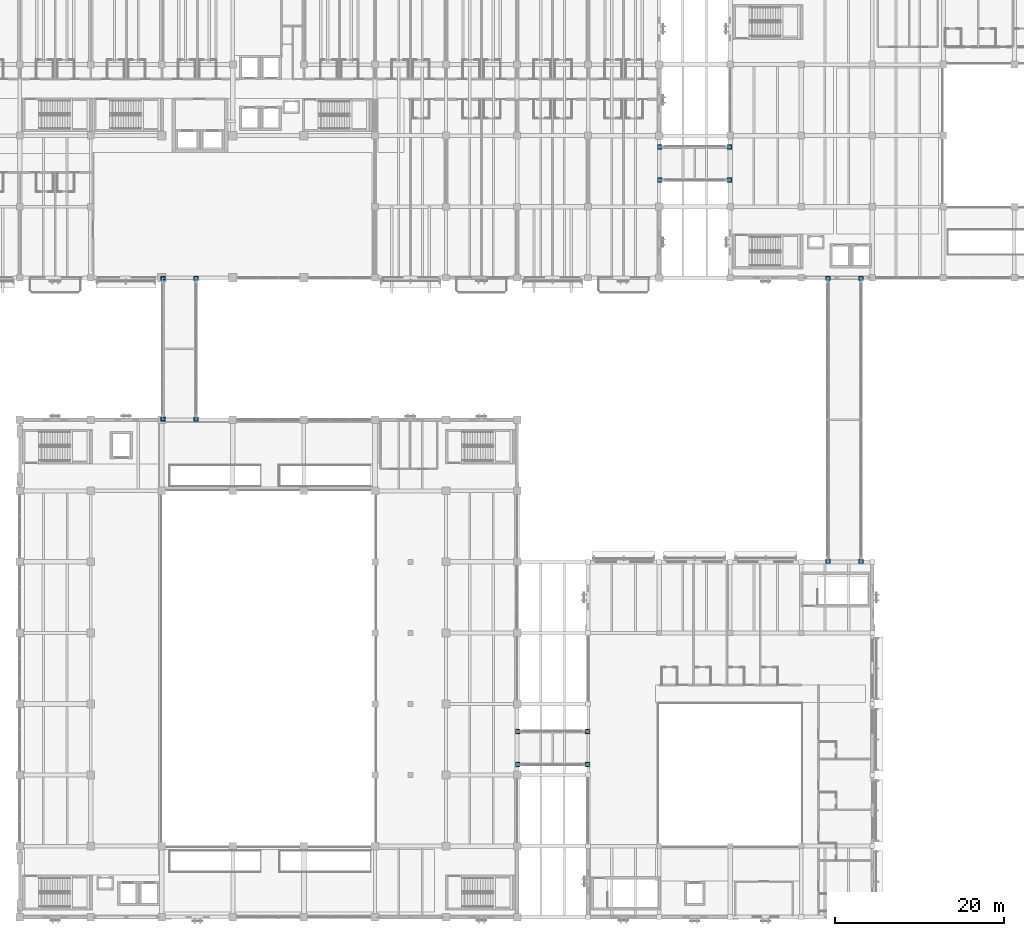
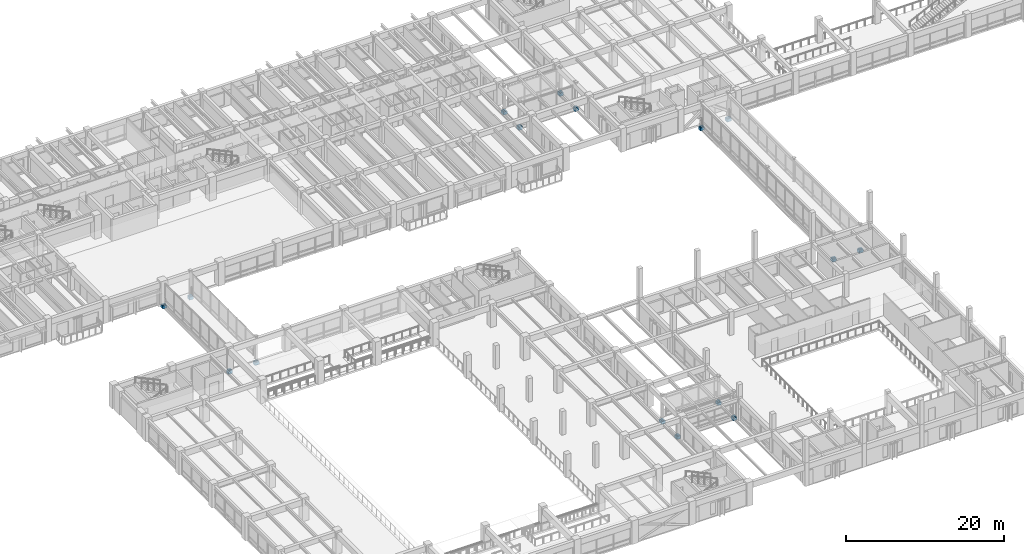
# One storey, part 86 of 118: 32 discrete accessories.
"""IFC4 building model written with IfcOpenShell, lengths in metres."""

from ifc_helpers import new_model, si_unit, direction, frame, origin, origin_2d, place, context, subcontext, project, spatial, rectangle, extrude, material, type_object, element, save


model = new_model("IFC4")

# Units and contexts
model_context = context("Model", 3, precision=1e-05, world=origin(), true_north=direction((0.0, 1.0)))
body_context = subcontext(model_context, "Body", "Model", "MODEL_VIEW")
ifc_project = project(units=[si_unit("LENGTHUNIT", "METRE"), si_unit("AREAUNIT", "SQUARE_METRE"), si_unit("VOLUMEUNIT", "CUBIC_METRE"), si_unit("PLANEANGLEUNIT", "RADIAN"), si_unit("MASSUNIT", "GRAM", prefix="KILO")], contexts=[model_context])

# Site, building, storey
site_placement = place(None, origin())
site = spatial("IfcSite", under=ifc_project, at=site_placement, CompositionType="ELEMENT")
building_placement = place(site_placement, origin())
building = spatial("IfcBuilding", under=site, at=building_placement, Name="Cumbredor Promenade Congress Hotel", CompositionType="ELEMENT")
storey_placement = place(building_placement, frame((0.0, 0.0, 3.919921875)))
storey = spatial("IfcBuildingStorey", under=building, at=storey_placement, Name="L01", CompositionType="ELEMENT", Elevation=3.919921875)

# Discrete accessories
ifc_material_1 = material(Name="Concrete C50/60", Category="concrete")
discrete_accessory_type_1 = type_object("IfcDiscreteAccessoryType", Name="Bridge Seat Corbel RC 600x550", PredefinedType="BRACKET", material=ifc_material_1)
for number, where, z_axis, x_axis, name in (
    (1, (25.35009765625, 67.280029296875, -0.7900390625), (0.0, 0.0, 1.0), (0.0, 1.0, 0.0), "L01 West Congress-to-Hotel Glazed Bridge 550mm RC Bridge Seat Corbel 1"),
    (2, (29.25, 67.280029296875, -0.7900390625), (0.0, 0.0, 1.0), (0.0, 1.0, 0.0), "L01 West Congress-to-Hotel Glazed Bridge 550mm RC Bridge Seat Corbel 2"),
    (3, (25.35009765625, 83.919921875, -0.7900390625), (0.0, 0.0, 1.0), (0.0, 1.0, 0.0), "L01 West Congress-to-Hotel Glazed Bridge 550mm RC Bridge Seat Corbel 3"),
    (4, (29.25, 83.919921875, -0.7900390625), (0.0, 0.0, 1.0), (0.0, 1.0, 0.0), "L01 West Congress-to-Hotel Glazed Bridge 550mm RC Bridge Seat Corbel 4"),
    (5, (67.280029296875, 26.449951171875, -0.7900390625), (0.0, 0.0, 1.0), (1.0, 0.0, 0.0), "L01 Central Plenary-to-Spa Pool Bridge 550mm RC Bridge Seat Corbel 1"),
    (6, (67.280029296875, 30.35009765625, -0.7900390625), (0.0, 0.0, 1.0), (1.0, 0.0, 0.0), "L01 Central Plenary-to-Spa Pool Bridge 550mm RC Bridge Seat Corbel 2"),
    (7, (75.52001953125, 26.449951171875, -0.7900390625), (0.0, 0.0, 1.0), (1.0, 0.0, 0.0), "L01 Central Plenary-to-Spa Pool Bridge 550mm RC Bridge Seat Corbel 3"),
    (8, (75.52001953125, 30.35009765625, -0.7900390625), (0.0, 0.0, 1.0), (1.0, 0.0, 0.0), "L01 Central Plenary-to-Spa Pool Bridge 550mm RC Bridge Seat Corbel 4"),
    (9, (103.949951171875, 50.47998046875, -0.7900390625), (0.0, 0.0, 1.0), (0.0, 1.0, 0.0), "L01 Central Reflecting-Pool Promenade Bridge 550mm RC Bridge Seat Corbel 1"),
    (10, (107.85009765625, 50.47998046875, -0.7900390625), (0.0, 0.0, 1.0), (0.0, 1.0, 0.0), "L01 Central Reflecting-Pool Promenade Bridge 550mm RC Bridge Seat Corbel 2"),
    (11, (103.949951171875, 83.919921875, -0.7900390625), (0.0, 0.0, 1.0), (0.0, 1.0, 0.0), "L01 Central Reflecting-Pool Promenade Bridge 550mm RC Bridge Seat Corbel 3"),
    (12, (107.85009765625, 83.919921875, -0.7900390625), (0.0, 0.0, 1.0), (0.0, 1.0, 0.0), "L01 Central Reflecting-Pool Promenade Bridge 550mm RC Bridge Seat Corbel 4"),
    (13, (84.080078125, 95.550048828125, -0.7900390625), (0.0, 0.0, 1.0), (1.0, 0.0, 0.0), "L01 North Hotel-to-Forum Glazed Bridge 550mm RC Bridge Seat Corbel 1"),
    (14, (84.080078125, 99.449951171875, -0.7900390625), (0.0, 0.0, 1.0), (1.0, 0.0, 0.0), "L01 North Hotel-to-Forum Glazed Bridge 550mm RC Bridge Seat Corbel 2"),
    (15, (92.320068359375, 95.550048828125, -0.7900390625), (0.0, 0.0, 1.0), (1.0, 0.0, 0.0), "L01 North Hotel-to-Forum Glazed Bridge 550mm RC Bridge Seat Corbel 3"),
    (16, (92.320068359375, 99.449951171875, -0.7900390625), (0.0, 0.0, 1.0), (1.0, 0.0, 0.0), "L01 North Hotel-to-Forum Glazed Bridge 550mm RC Bridge Seat Corbel 4"),
):
    element("IfcDiscreteAccessory", number, at=place(storey_placement, frame(where, z_axis=z_axis, x_axis=x_axis)), inside=storey, type_object=discrete_accessory_type_1, Name=name, PredefinedType="BRACKET", context=body_context, shape_type="SweptSolid", body=[
        extrude(rectangle(XDim=0.550048828125, YDim=0.60009765625, at=origin_2d()), origin(), (0.0, 0.0, 1.0), 0.449951171875),
    ])
ifc_material_2 = material(Name="Steel ASTM A572 Grade 50", Category="steel")
discrete_accessory_type_2 = type_object("IfcDiscreteAccessoryType", Name="Bridge Unguided PTFE Sliding Bearing BRG-01", PredefinedType="SHOE", material=ifc_material_2)
for number, where, z_axis, x_axis, name in (
    (17, (25.35009765625, 67.280029296875, -0.340087890625), (0.0, 0.0, 1.0), (0.0, 1.0, 0.0), "L01 West Congress-to-Hotel Glazed Bridge Unguided PTFE Sliding Bearing BRG-01"),
    (18, (29.25, 67.280029296875, -0.340087890625), (0.0, 0.0, 1.0), (0.0, 1.0, 0.0), "L01 West Congress-to-Hotel Glazed Bridge Unguided PTFE Sliding Bearing BRG-01"),
    (19, (25.35009765625, 83.919921875, -0.340087890625), (0.0, 0.0, 1.0), (0.0, 1.0, 0.0), "L01 West Congress-to-Hotel Glazed Bridge Unguided PTFE Sliding Bearing BRG-01"),
    (20, (29.25, 83.919921875, -0.340087890625), (0.0, 0.0, 1.0), (0.0, 1.0, 0.0), "L01 West Congress-to-Hotel Glazed Bridge Unguided PTFE Sliding Bearing BRG-01"),
    (21, (67.280029296875, 26.449951171875, -0.340087890625), (0.0, 0.0, 1.0), (1.0, 0.0, 0.0), "L01 Central Plenary-to-Spa Pool Bridge Unguided PTFE Sliding Bearing BRG-01"),
    (22, (67.280029296875, 30.35009765625, -0.340087890625), (0.0, 0.0, 1.0), (1.0, 0.0, 0.0), "L01 Central Plenary-to-Spa Pool Bridge Unguided PTFE Sliding Bearing BRG-01"),
    (23, (75.52001953125, 26.449951171875, -0.340087890625), (0.0, 0.0, 1.0), (1.0, 0.0, 0.0), "L01 Central Plenary-to-Spa Pool Bridge Unguided PTFE Sliding Bearing BRG-01"),
    (24, (75.52001953125, 30.35009765625, -0.340087890625), (0.0, 0.0, 1.0), (1.0, 0.0, 0.0), "L01 Central Plenary-to-Spa Pool Bridge Unguided PTFE Sliding Bearing BRG-01"),
    (25, (103.949951171875, 50.47998046875, -0.340087890625), (0.0, 0.0, 1.0), (0.0, 1.0, 0.0), "L01 Central Reflecting-Pool Promenade Bridge Unguided PTFE Sliding Bearing BRG-01"),
    (26, (107.85009765625, 50.47998046875, -0.340087890625), (0.0, 0.0, 1.0), (0.0, 1.0, 0.0), "L01 Central Reflecting-Pool Promenade Bridge Unguided PTFE Sliding Bearing BRG-01"),
    (27, (103.949951171875, 83.919921875, -0.340087890625), (0.0, 0.0, 1.0), (0.0, 1.0, 0.0), "L01 Central Reflecting-Pool Promenade Bridge Unguided PTFE Sliding Bearing BRG-01"),
    (28, (107.85009765625, 83.919921875, -0.340087890625), (0.0, 0.0, 1.0), (0.0, 1.0, 0.0), "L01 Central Reflecting-Pool Promenade Bridge Unguided PTFE Sliding Bearing BRG-01"),
    (29, (84.080078125, 95.550048828125, -0.340087890625), (0.0, 0.0, 1.0), (1.0, 0.0, 0.0), "L01 North Hotel-to-Forum Glazed Bridge Unguided PTFE Sliding Bearing BRG-01"),
    (30, (84.080078125, 99.449951171875, -0.340087890625), (0.0, 0.0, 1.0), (1.0, 0.0, 0.0), "L01 North Hotel-to-Forum Glazed Bridge Unguided PTFE Sliding Bearing BRG-01"),
    (31, (92.320068359375, 95.550048828125, -0.340087890625), (0.0, 0.0, 1.0), (1.0, 0.0, 0.0), "L01 North Hotel-to-Forum Glazed Bridge Unguided PTFE Sliding Bearing BRG-01"),
    (32, (92.320068359375, 99.449951171875, -0.340087890625), (0.0, 0.0, 1.0), (1.0, 0.0, 0.0), "L01 North Hotel-to-Forum Glazed Bridge Unguided PTFE Sliding Bearing BRG-01"),
):
    element("IfcDiscreteAccessory", number, at=place(storey_placement, frame(where, z_axis=z_axis, x_axis=x_axis)), inside=storey, type_object=discrete_accessory_type_2, Name=name, PredefinedType="SHOE", context=body_context, shape_type="SweptSolid", body=[
        extrude(rectangle(XDim=0.300048828125, YDim=0.39990234375, at=origin_2d()), origin(), (0.0, 0.0, 1.0), 0.1201171875),
    ])

save(model, "model.ifc")
